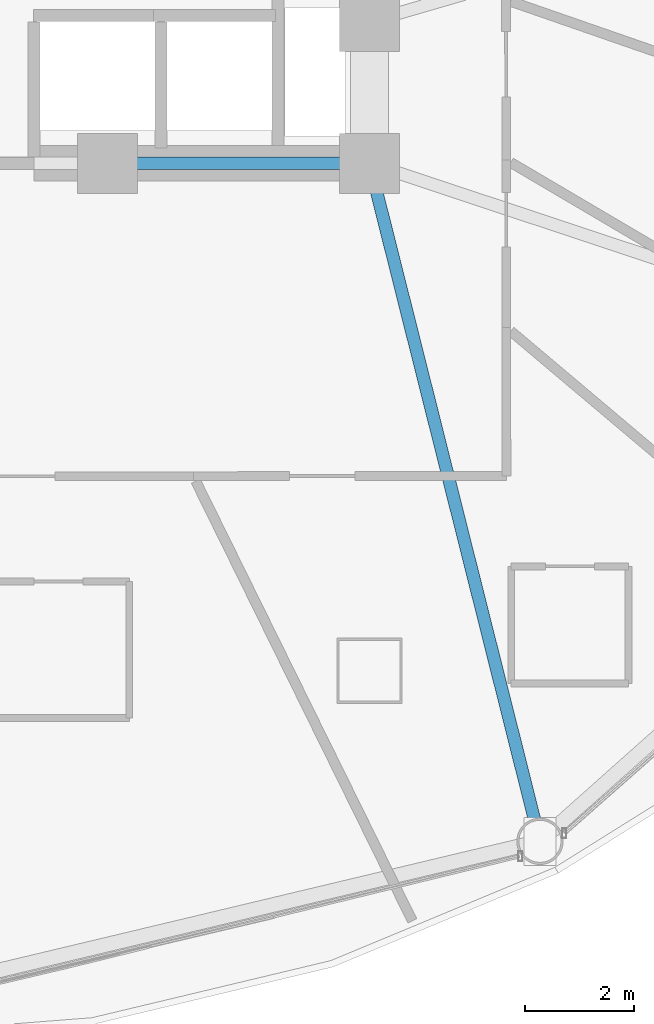
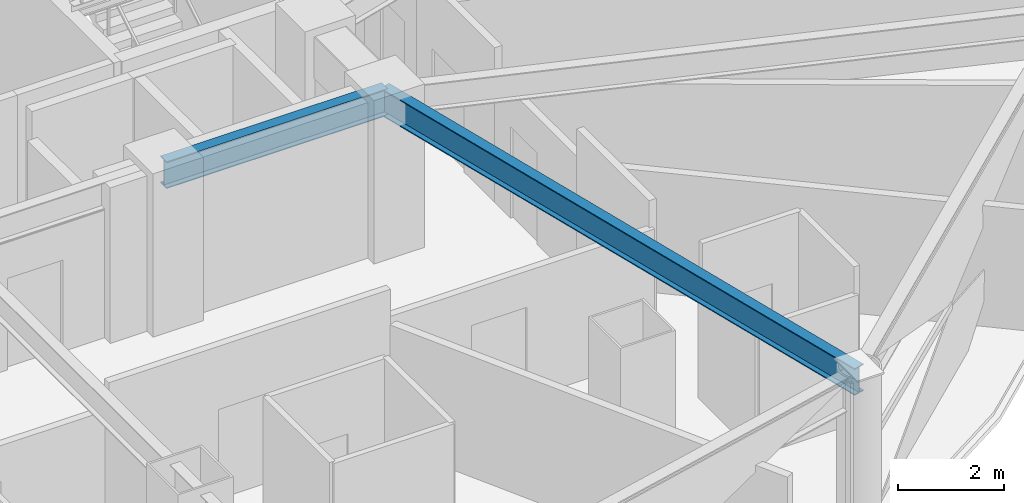
# One storey, part 10 of 31: 2 beams.
"""IFC4 building model written with IfcOpenShell, lengths in metres."""

from ifc_helpers import new_model, si_unit, direction, frame, origin, origin_2d, place, context, subcontext, project, spatial, i_section, extrude, material, material_profile, profile_set, type_object, element, save


model = new_model("IFC4")

# Units and contexts
model_context = context("Model", 3, precision=1e-05, world=origin(), true_north=direction((0.0, 1.0)))
body_context = subcontext(model_context, "Body", "Model", "MODEL_VIEW")
ifc_project = project(units=[si_unit("LENGTHUNIT", "METRE"), si_unit("AREAUNIT", "SQUARE_METRE"), si_unit("VOLUMEUNIT", "CUBIC_METRE"), si_unit("PLANEANGLEUNIT", "RADIAN"), si_unit("MASSUNIT", "GRAM", prefix="KILO")], contexts=[model_context])

# Site, building, storey
site_placement = place(None, origin())
site = spatial("IfcSite", under=ifc_project, at=site_placement, CompositionType="ELEMENT")
building_placement = place(site_placement, origin())
building = spatial("IfcBuilding", under=site, at=building_placement, Name="Vantalir Tower", CompositionType="ELEMENT")
storey_placement = place(building_placement, frame((0.0, 0.0, 30.75)))
storey = spatial("IfcBuildingStorey", under=building, at=storey_placement, Name="L06", CompositionType="ELEMENT", Elevation=30.75)

# Beams
ifc_material = material(Name="Steel S355", Category="steel")
ifc_material_profile = material_profile(ifc_material, i_section(OverallWidth=0.22998046875, OverallDepth=0.616943359375, WebThickness=0.01318359375, FlangeThickness=0.022216796875, at=origin_2d()), Name="Steel S355")
ifc_profile_set = profile_set([ifc_material_profile], Name="Steel S355")
beam_type = type_object("IfcBeamType", Name="BM-RB-610x229", PredefinedType="BEAM", material=ifc_profile_set)
beam_1_placement = place(storey_placement, frame((36.300048828125, 17.800048828125, 3.261962890625), z_axis=(1.0, 0.0, 0.0), x_axis=(0.0, 1.0, 0.0)))
element("IfcBeam", 1, at=beam_1_placement, inside=storey, type_object=beam_type, Name="L06 Core Coupling Girder 04", PredefinedType="BEAM", context=body_context, shape_type="SweptSolid", body=[
    extrude(i_section(OverallWidth=0.22998046875, OverallDepth=0.616943359375, WebThickness=0.01318359375, FlangeThickness=0.022216796875, at=origin_2d()), origin(), (0.0, 0.0, 1.0), 4.800048828125),
])
beam_2_placement = place(storey_placement, frame((44.22509765625, 5.3720703125, 3.261962890625), z_axis=(-0.24385779031, 0.969811001229, 0.0), x_axis=(-0.969811001229, -0.24385779031, 0.0)))
element("IfcBeam", 2, at=beam_2_placement, inside=storey, type_object=beam_type, Name="L06 Radial Floor Beam 11", PredefinedType="BEAM", context=body_context, shape_type="SweptSolid", body=[
    extrude(i_section(OverallWidth=0.22998046875, OverallDepth=0.616943359375, WebThickness=0.01318359375, FlangeThickness=0.022216796875, at=origin_2d()), origin(), (0.0, 0.0, 1.0), 12.81494140625),
])

save(model, "model.ifc")
